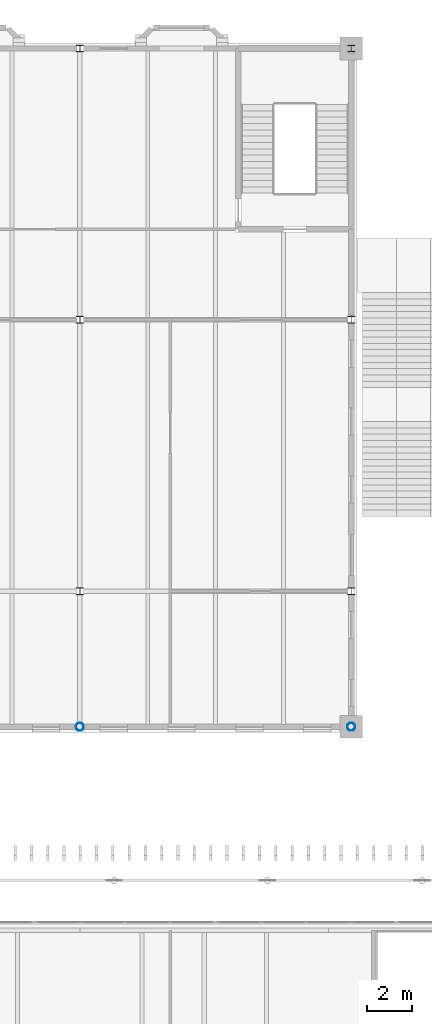
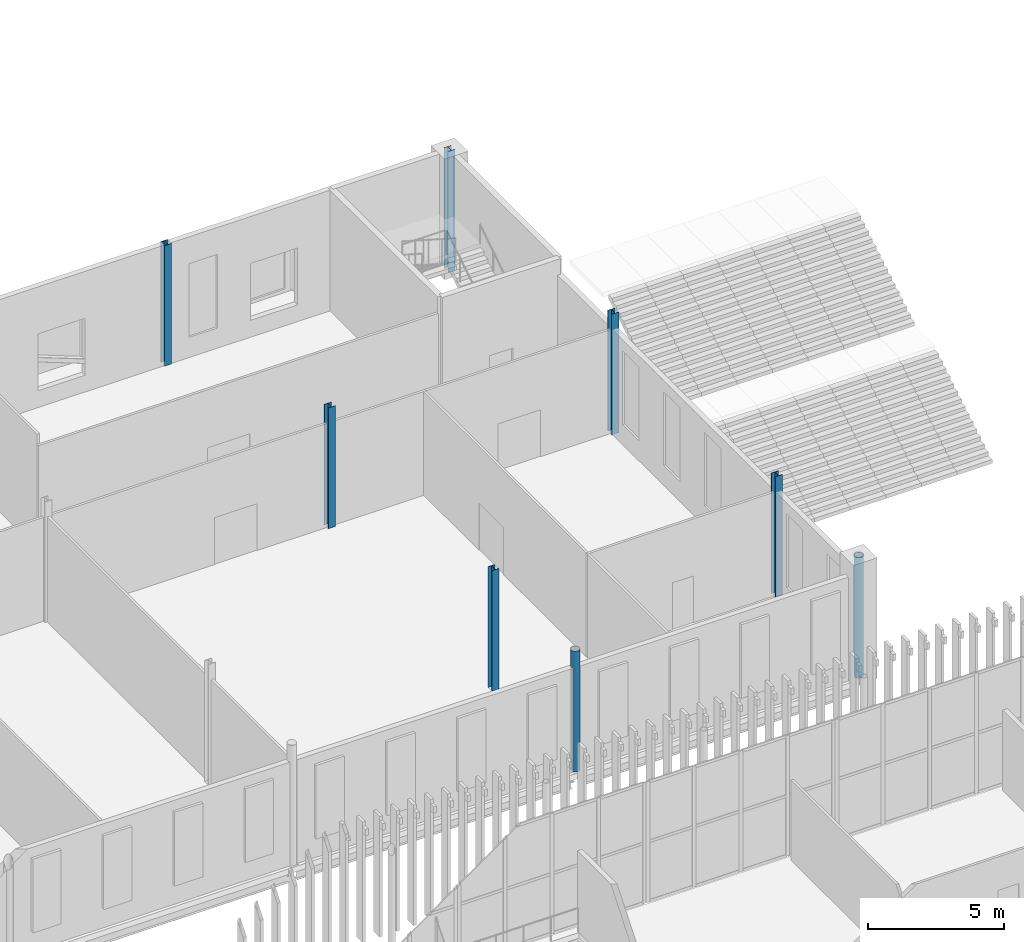
# One storey, part 25 of 170: 8 columns.
"""IFC4 building model written with IfcOpenShell, lengths in metres."""

from ifc_helpers import new_model, si_unit, direction, frame, origin, origin_2d, place, context, subcontext, project, spatial, hollow_circle, i_section, extrude, material, material_profile, profile_set, type_object, element, save


model = new_model("IFC4")

# Units and contexts
model_context = context("Model", 3, precision=1e-05, world=origin(), true_north=direction((0.0, 1.0)))
body_context = subcontext(model_context, "Body", "Model", "MODEL_VIEW")
ifc_project = project(units=[si_unit("LENGTHUNIT", "METRE"), si_unit("AREAUNIT", "SQUARE_METRE"), si_unit("VOLUMEUNIT", "CUBIC_METRE"), si_unit("PLANEANGLEUNIT", "RADIAN"), si_unit("MASSUNIT", "GRAM", prefix="KILO")], contexts=[model_context])

# Site, building, storey
site_placement = place(None, origin())
site = spatial("IfcSite", under=ifc_project, at=site_placement, CompositionType="ELEMENT")
building_placement = place(site_placement, origin())
building = spatial("IfcBuilding", under=site, at=building_placement, Name="Ravi Spectrum Wholesale Market", CompositionType="ELEMENT")
storey_placement = place(building_placement, frame((0.0, 0.0, 5.39990234375)))
storey = spatial("IfcBuildingStorey", under=building, at=storey_placement, Name="L01", CompositionType="ELEMENT", Elevation=5.39990234375)

# Columns
ifc_material_1 = material(Name="Steel S355", Category="steel")
ifc_material_profile_1 = material_profile(ifc_material_1, hollow_circle(Radius=0.177734375, WallThickness=0.012451171875, at=origin_2d()))
ifc_profile_set_1 = profile_set([ifc_material_profile_1], Name="Steel S355")
column_type_1 = type_object("IfcColumnType", Name="CHS 355.6x12.5 column", PredefinedType="COLUMN", material=ifc_profile_set_1)
for number, where, z_axis, x_axis, name in (
    (1, (48.0, 204.0, 0.0), (0.0, 0.0, 1.0), (1.0, 0.0, 0.0), "OF-COL-L01-019"),
    (2, (60.0, 204.0, 0.0), (0.0, 0.0, 1.0), (1.0, 0.0, 0.0), "OF-COL-L01-020"),
):
    element("IfcColumn", number, at=place(storey_placement, frame(where, z_axis=z_axis, x_axis=x_axis)), inside=storey, type_object=column_type_1, Name=name, PredefinedType="COLUMN", context=body_context, shape_type="SweptSolid", body=[
        extrude(hollow_circle(Radius=0.177734375, WallThickness=0.012451171875, at=origin_2d()), origin(), (0.0, 0.0, 1.0), 5.400146484375),
    ])
ifc_material_2 = material(Name="Steel S355", Category="steel")
ifc_material_profile_2 = material_profile(ifc_material_2, i_section(OverallWidth=0.300048828125, OverallDepth=0.300048828125, WebThickness=0.010986328125, FlangeThickness=0.01904296875, at=origin_2d()))
ifc_profile_set_2 = profile_set([ifc_material_profile_2], Name="Steel S355")
column_type_2 = type_object("IfcColumnType", Name="HEB 300 column", PredefinedType="COLUMN", material=ifc_profile_set_2)
for number, where, z_axis, x_axis, name in (
    (3, (48.0, 210.0, 0.0), (0.0, 0.0, 1.0), (1.0, 0.0, 0.0), "OF-COL-L01-010"),
    (4, (48.0, 222.0, 0.0), (0.0, 0.0, 1.0), (1.0, 0.0, 0.0), "OF-COL-L01-011"),
    (5, (48.0, 234.0, 0.0), (0.0, 0.0, 1.0), (1.0, 0.0, 0.0), "OF-COL-L01-012"),
    (6, (60.0, 210.0, 0.0), (0.0, 0.0, 1.0), (1.0, 0.0, 0.0), "OF-COL-L01-013"),
    (7, (60.0, 222.0, 0.0), (0.0, 0.0, 1.0), (1.0, 0.0, 0.0), "OF-COL-L01-014"),
    (8, (60.0, 234.0, 0.0), (0.0, 0.0, 1.0), (1.0, 0.0, 0.0), "OF-COL-L01-015"),
):
    element("IfcColumn", number, at=place(storey_placement, frame(where, z_axis=z_axis, x_axis=x_axis)), inside=storey, type_object=column_type_2, Name=name, PredefinedType="COLUMN", context=body_context, shape_type="SweptSolid", body=[
        extrude(i_section(OverallWidth=0.300048828125, OverallDepth=0.300048828125, WebThickness=0.010986328125, FlangeThickness=0.01904296875, at=origin_2d()), origin(), (0.0, 0.0, 1.0), 5.400146484375),
    ])

save(model, "model.ifc")
